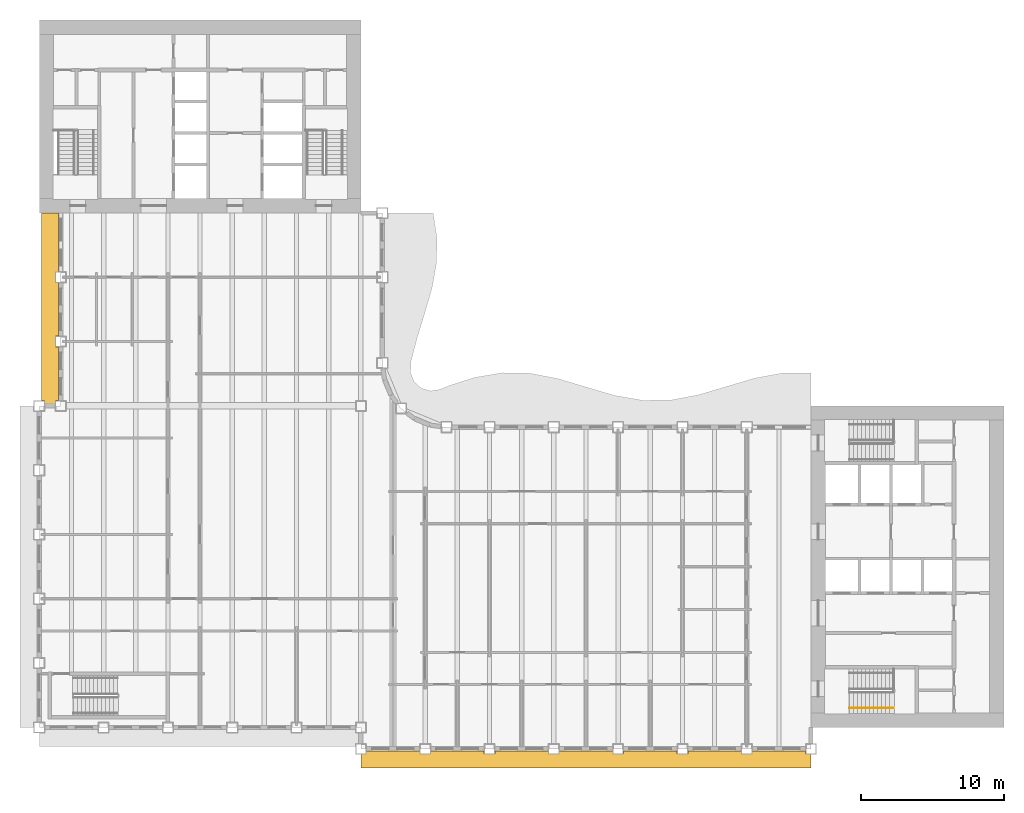
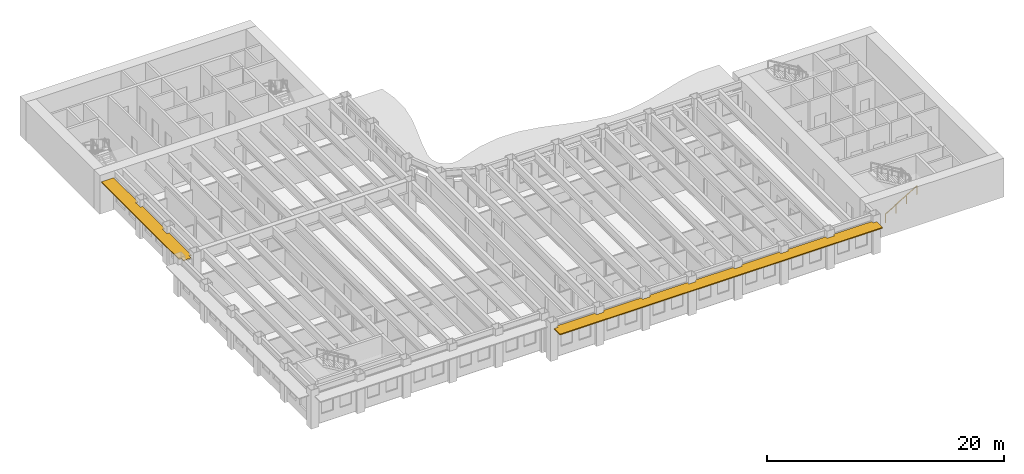
# One storey, part 12 of 16: 2 shading devices, 1 railing.
"""IFC4 building model written with IfcOpenShell, lengths in metres."""

from ifc_helpers import new_model, si_unit, direction, frame, origin, origin_2d, place, context, subcontext, project, spatial, polyline, rectangle, outline, extrude, material, layer, layer_set, type_object, element, save


model = new_model("IFC4")

# Units and contexts
model_context = context("Model", 3, precision=1e-05, world=origin(), true_north=direction((0.0, 1.0)))
body_context = subcontext(model_context, "Body", "Model", "MODEL_VIEW")
ifc_project = project(units=[si_unit("LENGTHUNIT", "METRE"), si_unit("AREAUNIT", "SQUARE_METRE"), si_unit("VOLUMEUNIT", "CUBIC_METRE"), si_unit("PLANEANGLEUNIT", "RADIAN"), si_unit("MASSUNIT", "GRAM", prefix="KILO")], contexts=[model_context])

# Site, building, storey
site_placement = place(None, origin())
site = spatial("IfcSite", under=ifc_project, at=site_placement, CompositionType="ELEMENT")
building_placement = place(site_placement, origin())
building = spatial("IfcBuilding", under=site, at=building_placement, Name="Sennacour Bend Tower", CompositionType="ELEMENT")
storey_placement = place(building_placement, frame((0.0, 0.0, 223.0)))
storey = spatial("IfcBuildingStorey", under=building, at=storey_placement, Name="L51", CompositionType="ELEMENT", Elevation=223.0)

# Railing
ifc_material_1 = material(Name="Stainless steel", Category="steel")
railing_type = type_object("IfcRailingType", Name="RL-HANDRAIL-900", PredefinedType="HANDRAIL", material=ifc_material_1)
railing_placement = place(storey_placement, frame((56.699951171875, 1.35009765625, 0.166748046875)))
element("IfcRailing", 1, at=railing_placement, inside=storey, type_object=railing_type, Name="L51 SA1 stair handrail 1", PredefinedType="HANDRAIL", context=body_context, shape_type="SweptSolid", body=[
    extrude(rectangle(XDim=0.048095703125, YDim=0.048095703125, at=origin_2d()), frame((0.0, 0.0, 0.8759765625), z_axis=(0.859308565015, 0.0, 0.511457515432), x_axis=(0.0, 1.0, 0.0)), (0.0, 0.0, 1.0), 3.58447265625),
    extrude(rectangle(XDim=0.0419921875, YDim=0.0419921875, at=origin_2d()), origin(), (0.0, 0.0, 1.0), 0.851806640625),
    extrude(rectangle(XDim=0.0419921875, YDim=0.0419921875, at=origin_2d()), frame((1.026611328125, 0.0, 0.611083984375)), (0.0, 0.0, 1.0), 0.851806640625),
    extrude(rectangle(XDim=0.0419921875, YDim=0.0419921875, at=origin_2d()), frame((2.053466796875, 0.0, 1.22216796875)), (0.0, 0.0, 1.0), 0.851806640625),
    extrude(rectangle(XDim=0.0419921875, YDim=0.0419921875, at=origin_2d()), frame((3.080078125, 0.0, 1.833251953125)), (0.0, 0.0, 1.0), 0.851806640625),
])

# Shading devices
ifc_material_2 = material(Name="Bronze anodised aluminium", Category="aluminium")
ifc_layer = layer(ifc_material_2, 0.10009765625, Name="Bronze anodised aluminium", Category="aluminium")
ifc_layer_set = layer_set([ifc_layer], Name="Bronze anodised aluminium")
shading_device_type = type_object("IfcShadingDeviceType", Name="SUNSHADE BAND STRAIGHT", PredefinedType="USERDEFINED", material=ifc_layer_set)
shading_device_1_placement = place(storey_placement, frame((0.0, 0.0, 3.056884765625)))
element("IfcShadingDevice", 2, at=shading_device_1_placement, inside=storey, type_object=shading_device_type, Name="Sunshade band L51 A outer face", ObjectType="SUNSHADE", PredefinedType="USERDEFINED", context=body_context, shape_type="SweptSolid", body=[
    extrude(outline(polyline([(26.625, -1.64990234375), (26.625, -1.875), (27.375, -1.875), (27.375, -1.64990234375), (31.125, -1.64990234375), (31.125, -1.875), (31.875, -1.875), (31.875, -1.64990234375), (35.625, -1.64990234375), (35.625, -1.875), (36.375, -1.875), (36.375, -1.64990234375), (40.125, -1.64990234375), (40.125, -1.875), (40.875, -1.875), (40.875, -1.64990234375), (44.625, -1.64990234375), (44.625, -1.875), (45.375, -1.875), (45.375, -1.64990234375), (49.125, -1.64990234375), (49.125, -1.875), (49.875, -1.875), (49.875, -1.64990234375), (53.625, -1.64990234375), (53.625, -1.875), (54.0, -1.875), (54.0, -2.85009765625), (22.5, -2.85009765625), (22.5, -1.875), (22.875, -1.875), (22.875, -1.64990234375), (26.625, -1.64990234375)])), origin(), (0.0, 0.0, 1.0), 0.10009765625),
])
shading_device_2_placement = place(storey_placement, frame((0.0, 0.0, 3.056884765625)))
element("IfcShadingDevice", 3, at=shading_device_2_placement, inside=storey, type_object=shading_device_type, Name="Sunshade band L51 B outer face", ObjectType="SUNSHADE", PredefinedType="USERDEFINED", context=body_context, shape_type="SweptSolid", body=[
    extrude(outline(polyline([(1.35009765625, 31.875), (1.125, 31.875), (1.125, 31.125), (1.35009765625, 31.125), (1.35009765625, 27.375), (1.125, 27.375), (1.125, 26.625), (1.35009765625, 26.625), (1.35009765625, 22.875), (1.125, 22.875), (1.125, 22.5), (0.375, 22.5), (0.375, 22.875), (0.14990234375, 22.875), (0.14990234375, 36.0), (1.35009765625, 36.0), (1.35009765625, 31.875)])), origin(), (0.0, 0.0, 1.0), 0.10009765625),
])

save(model, "model.ifc")
